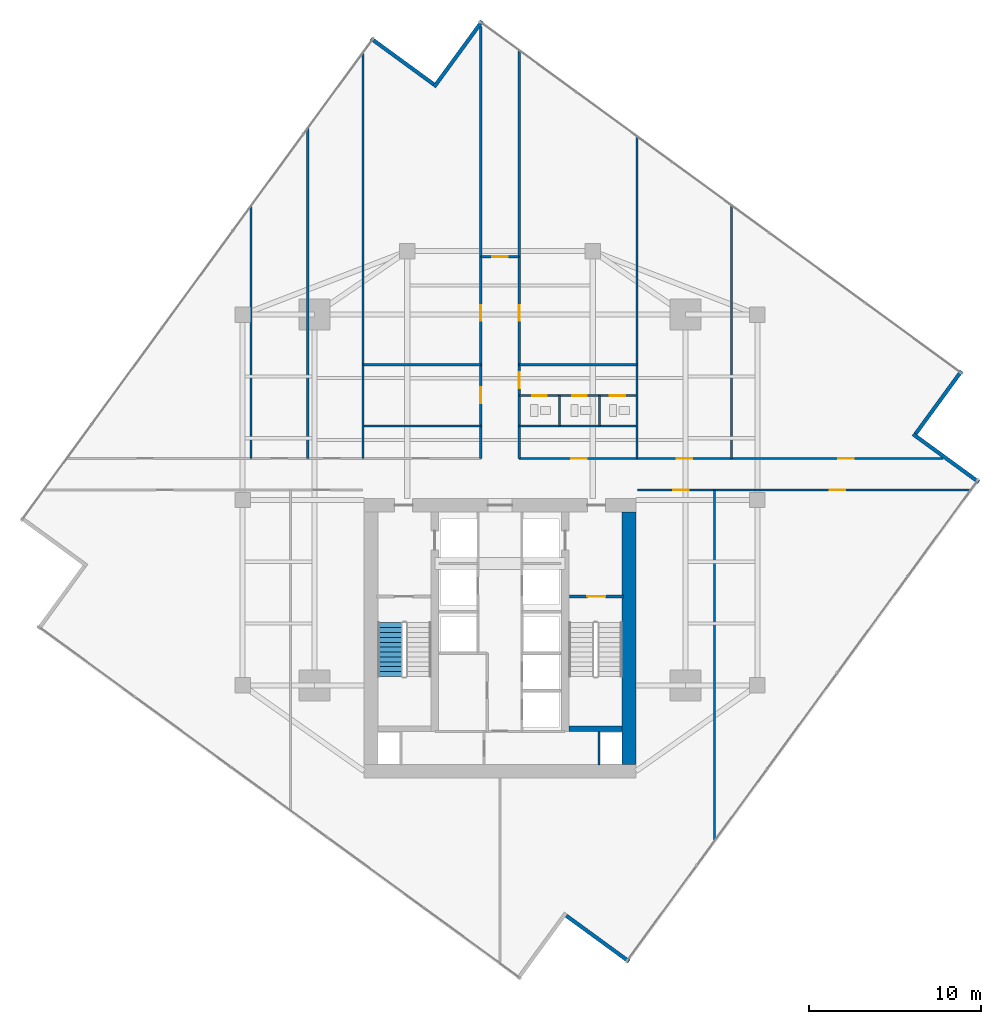
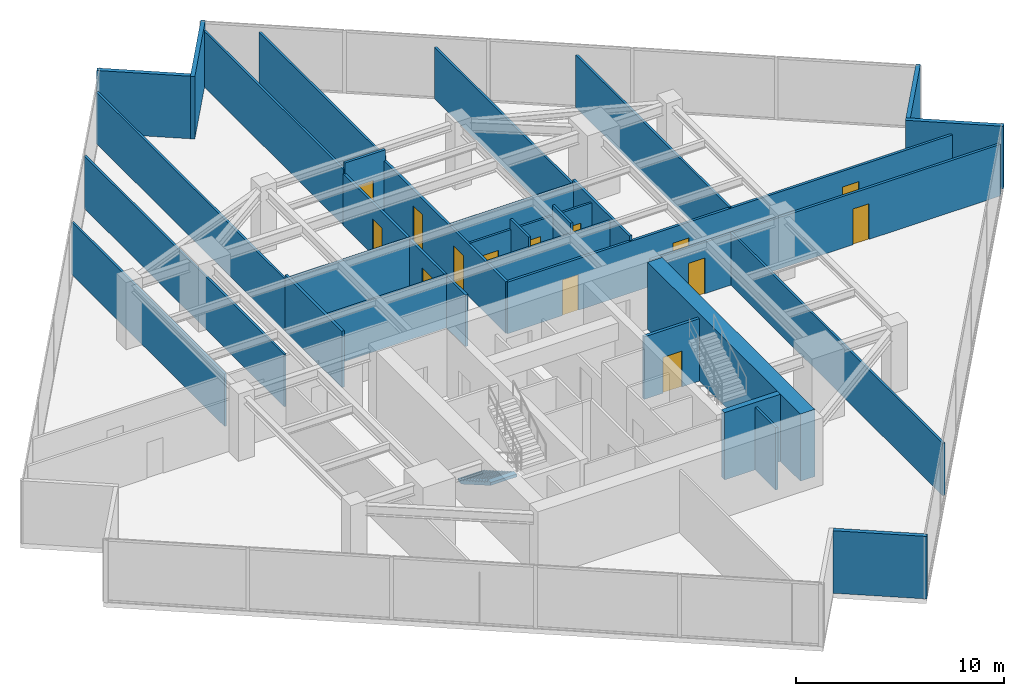
# One storey, part 22 of 25: 31 walls, 14 doors, 1 stair flight, 14 openings, 1 element without a shape of its own.
"""IFC4 building model written with IfcOpenShell, lengths in metres."""

from ifc_helpers import new_model, si_unit, direction, frame, frame_2d, origin, place, context, subcontext, project, spatial, polyline, rectangle, outline, extrude, material, layer, layer_set, type_object, element, fill, aggregate, save


model = new_model("IFC4")

# Units and contexts
model_context = context("Model", 3, precision=1e-05, world=origin(), true_north=direction((0.0, 1.0)))
body_context = subcontext(model_context, "Body", "Model", "MODEL_VIEW")
ifc_project = project(units=[si_unit("LENGTHUNIT", "METRE"), si_unit("AREAUNIT", "SQUARE_METRE"), si_unit("VOLUMEUNIT", "CUBIC_METRE"), si_unit("PLANEANGLEUNIT", "RADIAN"), si_unit("MASSUNIT", "GRAM", prefix="KILO")], contexts=[model_context])

# Site, building, storey
site_placement = place(None, origin())
site = spatial("IfcSite", under=ifc_project, at=site_placement, CompositionType="ELEMENT")
building_placement = place(site_placement, origin())
building = spatial("IfcBuilding", under=site, at=building_placement, Name="Krantzveldt Concourse Tower", CompositionType="ELEMENT")
storey_placement = place(building_placement, frame((0.0, 0.0, 193.60009765625)))
storey = spatial("IfcBuildingStorey", under=building, at=storey_placement, Name="L47", CompositionType="ELEMENT", Elevation=193.60009765625)

# Walls
ifc_material_1 = material(Name="Anodised aluminium 6063-T6", Category="aluminium")
ifc_layer_1 = layer(ifc_material_1, 0.219970703125, Name="Anodised aluminium 6063-T6", Category="aluminium")
ifc_layer_set_1 = layer_set([ifc_layer_1], Name="Anodised aluminium 6063-T6 (WL-EXT-NOTCH220)")
wall_type_1 = type_object("IfcWallType", Name="WL-EXT-NOTCH220", PredefinedType="ELEMENTEDWALL", material=ifc_layer_set_1)
for number, where, z_axis, x_axis, name in (
    (1, (32.138671875, 50.923828125, 0.0), (0.0, 0.0, 1.0), (-0.807734007732, 0.589547091209, 0.0), "EW-L47-NCH00"),
    (2, (39.861328125, 2.47607421875, 0.0), (0.0, 0.0, 1.0), (0.807734007732, -0.589547091209, 0.0), "EW-L47-NCH06"),
):
    element("IfcWall", number, at=place(storey_placement, frame(where, z_axis=z_axis, x_axis=x_axis)), inside=storey, type_object=wall_type_1, Name=name, PredefinedType="ELEMENTEDWALL", context=body_context, shape_type="SweptSolid", body=[
        extrude(rectangle(XDim=4.525146484375, YDim=0.219970703125, at=frame_2d((2.2626953125, 0.0))), origin(), (0.0, 0.0, 1.0), 3.669921875),
    ])
wall_1_placement = place(storey_placement, frame((63.90283203125, 27.73974609375, 0.0), z_axis=(0.0, 0.0, 1.0), x_axis=(-0.807718106916, 0.58956887618, 0.0)))
element("IfcWall", 3, at=wall_1_placement, inside=storey, type_object=wall_type_1, Name="EW-L47-NCH08", PredefinedType="ELEMENTEDWALL", context=body_context, shape_type="SweptSolid", body=[
    extrude(rectangle(XDim=4.7451171875, YDim=0.219970703125, at=frame_2d((2.37255859375, 0.0))), origin(), (0.0, 0.0, 1.0), 3.669921875),
])
wall_2_placement = place(storey_placement, frame((60.223876953125, 30.561279296875, 0.0), z_axis=(0.0, 0.0, 1.0), x_axis=(0.589547091209, 0.807734007732, 0.0)))
element("IfcWall", 4, at=wall_2_placement, inside=storey, type_object=wall_type_1, Name="EW-L47-NCH09", PredefinedType="ELEMENTEDWALL", context=body_context, shape_type="SweptSolid", body=[
    extrude(rectangle(XDim=4.525146484375, YDim=0.219970703125, at=frame_2d((2.2626953125, 0.0))), origin(), (0.0, 0.0, 1.0), 3.669921875),
])
wall_3_placement = place(storey_placement, frame((34.960205078125, 54.602783203125, 0.0), z_axis=(0.0, 0.0, 1.0), x_axis=(-0.589559809791, -0.807724724568, 0.0)))
element("IfcWall", 5, at=wall_3_placement, inside=storey, type_object=wall_type_1, Name="EW-L47-NCH11", PredefinedType="ELEMENTEDWALL", context=body_context, shape_type="SweptSolid", body=[
    extrude(rectangle(XDim=4.744873046875, YDim=0.219970703125, at=frame_2d((2.37255859375, 0.0))), origin(), (0.0, 0.0, 1.0), 3.669921875),
])
ifc_material_2 = material(Name="Fire-rated gypsum plasterboard on steel stud", Category="steel")
ifc_layer_2 = layer(ifc_material_2, 0.1201171875, Name="Fire-rated gypsum plasterboard on steel stud", Category="steel")
ifc_layer_set_2 = layer_set([ifc_layer_2], Name="Fire-rated gypsum plasterboard on steel stud (WL-PART-120)")
wall_type_2 = type_object("IfcWallType", Name="WL-PART-120", PredefinedType="PARTITIONING", material=ifc_layer_set_2)
for number, where, z_axis, x_axis, name in (
    (6, (28.02001953125, 31.02001953125, 0.0), (0.0, 0.0, 1.0), (1.0, 0.0, 0.0), "WP-L47-ISML"),
    (7, (37.1201171875, 31.02001953125, 0.0), (0.0, 0.0, 1.0), (1.0, 0.0, 0.0), "WP-L47-ISMR"),
):
    element("IfcWall", number, at=place(storey_placement, frame(where, z_axis=z_axis, x_axis=x_axis)), inside=storey, type_object=wall_type_2, Name=name, PredefinedType="PARTITIONING", context=body_context, shape_type="SweptSolid", body=[
        extrude(rectangle(XDim=6.85986328125, YDim=0.1201171875, at=frame_2d((3.429931640625, 0.0))), origin(), (0.0, 0.0, 1.0), 3.079833984375),
    ])

# Wall, openings, doors
wall_4_placement = place(storey_placement, frame((37.14990234375, 32.780029296875, 0.0), z_axis=(0.0, 0.0, 1.0), x_axis=(1.0, 0.0, 0.0)))
wall_4 = element("IfcWall", 8, at=wall_4_placement, inside=storey, type_object=wall_type_2, Name="WP-L47-WCHDR", PredefinedType="PARTITIONING", context=body_context, shape_type="SweptSolid", body=[
    extrude(rectangle(XDim=6.800048828125, YDim=0.1201171875, at=frame_2d((3.39990234375, 0.0))), origin(), (0.0, 0.0, 1.0), 3.079833984375),
])
opening_1_placement = place(wall_4_placement, frame((0.72509765625, 0.0, 0.0)))
opening_1 = element("IfcOpeningElement", 9, at=opening_1_placement, cuts=wall_4, Name="Opening D-IN085", PredefinedType="OPENING", context=body_context, shape_type="SweptSolid", body=[
    extrude(rectangle(XDim=0.85009765625, YDim=2.10009765625, at=frame_2d((0.425048828125, 1.050048828125))), frame((0.0, 0.070068359375, 0.0), z_axis=(0.0, -1.0, 0.0), x_axis=(1.0, 0.0, 0.0)), (0.0, 0.0, 1.0), 0.14013671875),
])
opening_2_placement = place(wall_4_placement, frame((3.06494140625, 0.0, 0.0)))
opening_2 = element("IfcOpeningElement", 10, at=opening_2_placement, cuts=wall_4, Name="Opening D-IN085", PredefinedType="OPENING", context=body_context, shape_type="SweptSolid", body=[
    extrude(rectangle(XDim=0.85009765625, YDim=2.10009765625, at=frame_2d((0.425048828125, 1.050048828125))), frame((0.0, 0.070068359375, 0.0), z_axis=(0.0, -1.0, 0.0), x_axis=(1.0, 0.0, 0.0)), (0.0, 0.0, 1.0), 0.14013671875),
])
opening_3_placement = place(wall_4_placement, frame((5.25, 0.0, 0.0)))
opening_3 = element("IfcOpeningElement", 11, at=opening_3_placement, cuts=wall_4, Name="Opening D-IN090", PredefinedType="OPENING", context=body_context, shape_type="SweptSolid", body=[
    extrude(rectangle(XDim=0.89990234375, YDim=2.10009765625, at=frame_2d((0.449951171875, 1.050048828125))), frame((0.0, 0.070068359375, 0.0), z_axis=(0.0, -1.0, 0.0), x_axis=(1.0, 0.0, 0.0)), (0.0, 0.0, 1.0), 0.14013671875),
])
ifc_material_3 = material(Name="Hardwood timber", Category="wood")
door_type_1 = type_object("IfcDoorType", Name="DR-INT-850", OperationType="SINGLE_SWING_LEFT", PredefinedType="DOOR", material=ifc_material_3)
door_1_placement = place(opening_1_placement, origin())
door_1 = element("IfcDoor", 12, at=door_1_placement, inside=storey, type_object=door_type_1, Name="DR-L47-WCM", OperationType="SINGLE_SWING_LEFT", OverallHeight=2.10009765625, OverallWidth=0.85009765625, PredefinedType="DOOR", context=body_context, shape_type="SweptSolid", body=[
    extrude(rectangle(XDim=0.85009765625, YDim=2.10009765625, at=frame_2d((0.425048828125, 1.050048828125))), frame((0.0, 0.02490234375, 0.0), z_axis=(0.0, -1.0, 0.0), x_axis=(1.0, 0.0, 0.0)), (0.0, 0.0, 1.0), 0.050048828125),
])
fill(opening_1, door_1)
door_2_placement = place(opening_2_placement, origin())
door_2 = element("IfcDoor", 13, at=door_2_placement, inside=storey, type_object=door_type_1, Name="DR-L47-WCF", OperationType="SINGLE_SWING_RIGHT", OverallHeight=2.10009765625, OverallWidth=0.85009765625, PredefinedType="DOOR", context=body_context, shape_type="SweptSolid", body=[
    extrude(rectangle(XDim=0.85009765625, YDim=2.10009765625, at=frame_2d((0.425048828125, 1.050048828125))), frame((0.0, 0.02490234375, 0.0), z_axis=(0.0, -1.0, 0.0), x_axis=(1.0, 0.0, 0.0)), (0.0, 0.0, 1.0), 0.050048828125),
])
fill(opening_2, door_2)
door_type_2 = type_object("IfcDoorType", Name="DR-INT-900", OperationType="SINGLE_SWING_LEFT", PredefinedType="DOOR", material=ifc_material_3)
door_3_placement = place(opening_3_placement, origin())
door_3 = element("IfcDoor", 14, at=door_3_placement, inside=storey, type_object=door_type_2, Name="DR-L47-WCA", OperationType="SINGLE_SWING_LEFT", OverallHeight=2.10009765625, OverallWidth=0.89990234375, PredefinedType="DOOR", context=body_context, shape_type="SweptSolid", body=[
    extrude(rectangle(XDim=0.89990234375, YDim=2.10009765625, at=frame_2d((0.449951171875, 1.050048828125))), frame((0.0, 0.02490234375, 0.0), z_axis=(0.0, -1.0, 0.0), x_axis=(1.0, 0.0, 0.0)), (0.0, 0.0, 1.0), 0.050048828125),
])
fill(opening_3, door_3)

# Walls
for number, where, z_axis, x_axis, name in (
    (15, (39.469970703125, 31.02001953125, 0.0), (0.0, 0.0, 1.0), (0.0, 1.0, 0.0), "WP-L47-WCD1"),
    (16, (41.81005859375, 31.02001953125, 0.0), (0.0, 0.0, 1.0), (0.0, 1.0, 0.0), "WP-L47-WCD2"),
):
    element("IfcWall", number, at=place(storey_placement, frame(where, z_axis=z_axis, x_axis=x_axis)), inside=storey, type_object=wall_type_2, Name=name, PredefinedType="PARTITIONING", context=body_context, shape_type="SweptSolid", body=[
        extrude(rectangle(XDim=1.760009765625, YDim=0.1201171875, at=frame_2d((0.8798828125, 0.0))), origin(), (0.0, 0.0, 1.0), 3.669921875),
    ])
wall_5_placement = place(storey_placement, frame((34.8798828125, 40.8798828125, 0.0), z_axis=(0.0, 0.0, 1.0), x_axis=(0.0, 1.0, 0.0)))
element("IfcWall", 17, at=wall_5_placement, inside=storey, type_object=wall_type_2, Name="WP-L47-NTL", PredefinedType="PARTITIONING", context=body_context, shape_type="SweptSolid", body=[
    extrude(rectangle(XDim=13.41796875, YDim=0.1201171875, at=frame_2d((6.708984375, 0.0))), origin(), (0.0, 0.0, 1.0), 3.27978515625),
])
wall_6_placement = place(storey_placement, frame((37.1201171875, 40.8798828125, 0.0), z_axis=(0.0, 0.0, 1.0), x_axis=(0.0, 1.0, 0.0)))
element("IfcWall", 18, at=wall_6_placement, inside=storey, type_object=wall_type_2, Name="WP-L47-NTR", PredefinedType="PARTITIONING", context=body_context, shape_type="SweptSolid", body=[
    extrude(rectangle(XDim=12.004150390625, YDim=0.1201171875, at=frame_2d((6.001953125, 0.0))), origin(), (0.0, 0.0, 1.0), 3.27978515625),
])
wall_7_placement = place(storey_placement, frame((21.5, 29.1201171875, 0.0), z_axis=(0.0, 0.0, 1.0), x_axis=(0.0, 1.0, 0.0)))
element("IfcWall", 19, at=wall_7_placement, inside=storey, type_object=wall_type_2, Name="WP-L47-NWX1", PredefinedType="PARTITIONING", context=body_context, shape_type="SweptSolid", body=[
    extrude(rectangle(XDim=14.7080078125, YDim=0.1201171875, at=frame_2d((7.35400390625, 0.0))), origin(), (0.0, 0.0, 1.0), 3.079833984375),
])
wall_8_placement = place(storey_placement, frame((24.800048828125, 29.1201171875, 0.0), z_axis=(0.0, 0.0, 1.0), x_axis=(0.0, 1.0, 0.0)))
element("IfcWall", 20, at=wall_8_placement, inside=storey, type_object=wall_type_2, Name="WP-L47-NWX2", PredefinedType="PARTITIONING", context=body_context, shape_type="SweptSolid", body=[
    extrude(rectangle(XDim=19.229248046875, YDim=0.1201171875, at=frame_2d((9.61474609375, 0.0))), origin(), (0.0, 0.0, 1.0), 3.079833984375),
])
wall_9_placement = place(storey_placement, frame((28.02001953125, 34.580078125, 0.0), z_axis=(0.0, 0.0, 1.0), x_axis=(0.0, 1.0, 0.0)))
element("IfcWall", 21, at=wall_9_placement, inside=storey, type_object=wall_type_2, Name="WP-L47-ISWL2", PredefinedType="PARTITIONING", context=body_context, shape_type="SweptSolid", body=[
    extrude(rectangle(XDim=18.180908203125, YDim=0.1201171875, at=frame_2d((9.09033203125, 0.0))), origin(), (0.0, 0.0, 1.0), 3.02978515625),
])
wall_10_placement = place(storey_placement, frame((43.97998046875, 34.580078125, 0.0), z_axis=(0.0, 0.0, 1.0), x_axis=(0.0, 1.0, 0.0)))
element("IfcWall", 22, at=wall_10_placement, inside=storey, type_object=wall_type_2, Name="WP-L47-ISER2", PredefinedType="PARTITIONING", context=body_context, shape_type="SweptSolid", body=[
    extrude(rectangle(XDim=13.297119140625, YDim=0.1201171875, at=frame_2d((6.6484375, 0.0))), origin(), (0.0, 0.0, 1.0), 3.02978515625),
])
wall_11_placement = place(storey_placement, frame((49.5, 29.1201171875, 0.0), z_axis=(0.0, 0.0, 1.0), x_axis=(0.0, 1.0, 0.0)))
element("IfcWall", 23, at=wall_11_placement, inside=storey, type_object=wall_type_2, Name="WP-L47-NEX1", PredefinedType="PARTITIONING", context=body_context, shape_type="SweptSolid", body=[
    extrude(rectangle(XDim=14.72802734375, YDim=0.1201171875, at=frame_2d((7.364013671875, 0.0))), origin(), (0.0, 0.0, 1.0), 3.079833984375),
])
wall_12_placement = place(storey_placement, frame((48.5, 6.831787109375, 0.0), z_axis=(0.0, 0.0, 1.0), x_axis=(0.0, 1.0, 0.0)))
element("IfcWall", 24, at=wall_12_placement, inside=storey, type_object=wall_type_2, Name="WP-L47-SEX1", PredefinedType="PARTITIONING", context=body_context, shape_type="SweptSolid", body=[
    extrude(rectangle(XDim=20.4482421875, YDim=0.1201171875, at=frame_2d((10.22412109375, 0.0))), origin(), (0.0, 0.0, 1.0), 3.079833984375),
])

# Wall, openings, doors
ifc_layer_3 = layer(ifc_material_2, 0.139892578125, Name="Fire-rated gypsum plasterboard on steel stud", Category="steel")
ifc_layer_set_3 = layer_set([ifc_layer_3], Name="Fire-rated gypsum plasterboard on steel stud (WL-PART-140)")
wall_type_3 = type_object("IfcWallType", Name="WL-PART-140", PredefinedType="PARTITIONING", material=ifc_layer_set_3)
wall_13_placement = place(storey_placement, frame((34.8798828125, 29.1201171875, 0.0), z_axis=(0.0, 0.0, 1.0), x_axis=(0.0, 1.0, 0.0)))
wall_13 = element("IfcWall", 25, at=wall_13_placement, inside=storey, type_object=wall_type_3, Name="WP-L47-SPWL", PredefinedType="PARTITIONING", context=body_context, shape_type="SweptSolid", body=[
    extrude(rectangle(XDim=11.759765625, YDim=0.139892578125, at=frame_2d((5.8798828125, 0.0))), origin(), (0.0, 0.0, 1.0), 3.02978515625),
])
opening_4_placement = place(wall_13_placement, frame((3.205078125, 0.0, 0.0)))
opening_4 = element("IfcOpeningElement", 26, at=opening_4_placement, cuts=wall_13, Name="Opening D-IN095", PredefinedType="OPENING", context=body_context, shape_type="SweptSolid", body=[
    extrude(rectangle(XDim=0.949951171875, YDim=2.10009765625, at=frame_2d((0.47509765625, 1.050048828125))), frame((0.0, 0.080078125, 0.0), z_axis=(0.0, -1.0, 0.0), x_axis=(1.0, 0.0, 0.0)), (0.0, 0.0, 1.0), 0.159912109375),
])
opening_5_placement = place(wall_13_placement, frame((8.02001953125, 0.0, 0.0)))
opening_5 = element("IfcOpeningElement", 27, at=opening_5_placement, cuts=wall_13, Name="Opening D-IN090", PredefinedType="OPENING", context=body_context, shape_type="SweptSolid", body=[
    extrude(rectangle(XDim=0.89990234375, YDim=2.10009765625, at=frame_2d((0.449951171875, 1.050048828125))), frame((0.0, 0.080078125, 0.0), z_axis=(0.0, -1.0, 0.0), x_axis=(1.0, 0.0, 0.0)), (0.0, 0.0, 1.0), 0.159912109375),
])
door_4_placement = place(opening_5_placement, origin())
door_4 = element("IfcDoor", 28, at=door_4_placement, inside=storey, type_object=door_type_2, Name="DR-L47-NWI1", OperationType="SINGLE_SWING_LEFT", OverallHeight=2.10009765625, OverallWidth=0.89990234375, PredefinedType="DOOR", context=body_context, shape_type="SweptSolid", body=[
    extrude(rectangle(XDim=0.89990234375, YDim=2.10009765625, at=frame_2d((0.449951171875, 1.050048828125))), frame((0.0, 0.02490234375, 0.0), z_axis=(0.0, -1.0, 0.0), x_axis=(1.0, 0.0, 0.0)), (0.0, 0.0, 1.0), 0.050048828125),
])
fill(opening_5, door_4)
door_type_3 = type_object("IfcDoorType", Name="DR-INT-950", OperationType="SINGLE_SWING_LEFT", PredefinedType="DOOR", material=ifc_material_3)
door_5_placement = place(opening_4_placement, origin())
door_5 = element("IfcDoor", 29, at=door_5_placement, inside=storey, type_object=door_type_3, Name="DR-L47-PNT", OperationType="SINGLE_SWING_RIGHT", OverallHeight=2.10009765625, OverallWidth=0.949951171875, PredefinedType="DOOR", context=body_context, shape_type="SweptSolid", body=[
    extrude(rectangle(XDim=0.949951171875, YDim=2.10009765625, at=frame_2d((0.47509765625, 1.050048828125))), frame((0.0, 0.02490234375, 0.0), z_axis=(0.0, -1.0, 0.0), x_axis=(1.0, 0.0, 0.0)), (0.0, 0.0, 1.0), 0.050048828125),
])
fill(opening_4, door_5)

wall_14_placement = place(storey_placement, frame((37.1201171875, 29.1201171875, 0.0), z_axis=(0.0, 0.0, 1.0), x_axis=(0.0, 1.0, 0.0)))
wall_14 = element("IfcWall", 30, at=wall_14_placement, inside=storey, type_object=wall_type_3, Name="WP-L47-SPER", PredefinedType="PARTITIONING", context=body_context, shape_type="SweptSolid", body=[
    extrude(rectangle(XDim=11.759765625, YDim=0.139892578125, at=frame_2d((5.8798828125, 0.0))), origin(), (0.0, 0.0, 1.0), 3.02978515625),
])
opening_6_placement = place(wall_14_placement, frame((4.0849609375, 0.0, 0.0)))
opening_6 = element("IfcOpeningElement", 31, at=opening_6_placement, cuts=wall_14, Name="Opening D-IN095", PredefinedType="OPENING", context=body_context, shape_type="SweptSolid", body=[
    extrude(rectangle(XDim=0.949951171875, YDim=2.10009765625, at=frame_2d((0.47509765625, 1.050048828125))), frame((0.0, 0.080078125, 0.0), z_axis=(0.0, -1.0, 0.0), x_axis=(1.0, 0.0, 0.0)), (0.0, 0.0, 1.0), 0.159912109375),
])
opening_7_placement = place(wall_14_placement, frame((8.02001953125, 0.0, 0.0)))
opening_7 = element("IfcOpeningElement", 32, at=opening_7_placement, cuts=wall_14, Name="Opening D-IN090", PredefinedType="OPENING", context=body_context, shape_type="SweptSolid", body=[
    extrude(rectangle(XDim=0.89990234375, YDim=2.10009765625, at=frame_2d((0.449951171875, 1.050048828125))), frame((0.0, 0.080078125, 0.0), z_axis=(0.0, -1.0, 0.0), x_axis=(1.0, 0.0, 0.0)), (0.0, 0.0, 1.0), 0.159912109375),
])
door_6_placement = place(opening_7_placement, origin())
door_6 = element("IfcDoor", 33, at=door_6_placement, inside=storey, type_object=door_type_2, Name="DR-L47-NEI1", OperationType="SINGLE_SWING_LEFT", OverallHeight=2.10009765625, OverallWidth=0.89990234375, PredefinedType="DOOR", context=body_context, shape_type="SweptSolid", body=[
    extrude(rectangle(XDim=0.89990234375, YDim=2.10009765625, at=frame_2d((0.449951171875, 1.050048828125))), frame((0.0, 0.02490234375, 0.0), z_axis=(0.0, -1.0, 0.0), x_axis=(1.0, 0.0, 0.0)), (0.0, 0.0, 1.0), 0.050048828125),
])
fill(opening_7, door_6)
door_7_placement = place(opening_6_placement, origin())
door_7 = element("IfcDoor", 34, at=door_7_placement, inside=storey, type_object=door_type_3, Name="DR-L47-WCLB", OperationType="SINGLE_SWING_LEFT", OverallHeight=2.10009765625, OverallWidth=0.949951171875, PredefinedType="DOOR", context=body_context, shape_type="SweptSolid", body=[
    extrude(rectangle(XDim=0.949951171875, YDim=2.10009765625, at=frame_2d((0.47509765625, 1.050048828125))), frame((0.0, 0.02490234375, 0.0), z_axis=(0.0, -1.0, 0.0), x_axis=(1.0, 0.0, 0.0)), (0.0, 0.0, 1.0), 0.050048828125),
])
fill(opening_6, door_7)

# Wall, opening, door
wall_15_placement = place(storey_placement, frame((34.8798828125, 40.8798828125, 0.0), z_axis=(0.0, 0.0, 1.0), x_axis=(1.0, 0.0, 0.0)))
wall_15 = element("IfcWall", 35, at=wall_15_placement, inside=storey, type_object=wall_type_3, Name="WP-L47-SPTOP", PredefinedType="PARTITIONING", context=body_context, shape_type="SweptSolid", body=[
    extrude(rectangle(XDim=2.240234375, YDim=0.139892578125, at=frame_2d((1.1201171875, 0.0))), origin(), (0.0, 0.0, 1.0), 3.669921875),
])
opening_8_placement = place(wall_15_placement, frame((0.669921875, 0.0, 0.0)))
opening_8 = element("IfcOpeningElement", 36, at=opening_8_placement, cuts=wall_15, Name="Opening D-IN090", PredefinedType="OPENING", context=body_context, shape_type="SweptSolid", body=[
    extrude(rectangle(XDim=0.89990234375, YDim=2.10009765625, at=frame_2d((0.449951171875, 1.050048828125))), frame((0.0, 0.080078125, 0.0), z_axis=(0.0, -1.0, 0.0), x_axis=(1.0, 0.0, 0.0)), (0.0, 0.0, 1.0), 0.159912109375),
])
door_8_placement = place(opening_8_placement, origin())
door_8 = element("IfcDoor", 37, at=door_8_placement, inside=storey, type_object=door_type_2, Name="DR-L47-NTOP", OperationType="SINGLE_SWING_LEFT", OverallHeight=2.10009765625, OverallWidth=0.89990234375, PredefinedType="DOOR", context=body_context, shape_type="SweptSolid", body=[
    extrude(rectangle(XDim=0.89990234375, YDim=2.10009765625, at=frame_2d((0.449951171875, 1.050048828125))), frame((0.0, 0.02490234375, 0.0), z_axis=(0.0, -1.0, 0.0), x_axis=(1.0, 0.0, 0.0)), (0.0, 0.0, 1.0), 0.050048828125),
])
fill(opening_8, door_8)

# Wall, openings, doors
wall_16_placement = place(storey_placement, frame((37.1201171875, 29.1201171875, 0.0), z_axis=(0.0, 0.0, 1.0), x_axis=(1.0, 0.0, 0.0)))
wall_16 = element("IfcWall", 38, at=wall_16_placement, inside=storey, type_object=wall_type_3, Name="WP-L47-EWNR", PredefinedType="PARTITIONING", context=body_context, shape_type="SweptSolid", body=[
    extrude(rectangle(XDim=24.69677734375, YDim=0.139892578125, at=frame_2d((12.348388671875, 0.0))), origin(), (0.0, 0.0, 1.0), 3.02978515625),
])
opening_9_placement = place(wall_16_placement, frame((3.030029296875, 0.0, 0.0)))
opening_9 = element("IfcOpeningElement", 39, at=opening_9_placement, cuts=wall_16, Name="Opening D-IN090", PredefinedType="OPENING", context=body_context, shape_type="SweptSolid", body=[
    extrude(rectangle(XDim=0.89990234375, YDim=2.10009765625, at=frame_2d((0.449951171875, 1.050048828125))), frame((0.0, 0.080078125, 0.0), z_axis=(0.0, -1.0, 0.0), x_axis=(1.0, 0.0, 0.0)), (0.0, 0.0, 1.0), 0.159912109375),
])
opening_10_placement = place(wall_16_placement, frame((9.169921875, 0.0, 0.0)))
opening_10 = element("IfcOpeningElement", 40, at=opening_10_placement, cuts=wall_16, Name="Opening D-IN090", PredefinedType="OPENING", context=body_context, shape_type="SweptSolid", body=[
    extrude(rectangle(XDim=0.89990234375, YDim=2.10009765625, at=frame_2d((0.449951171875, 1.050048828125))), frame((0.0, 0.080078125, 0.0), z_axis=(0.0, -1.0, 0.0), x_axis=(1.0, 0.0, 0.0)), (0.0, 0.0, 1.0), 0.159912109375),
])
opening_11_placement = place(wall_16_placement, frame((18.60009765625, 0.0, 0.0)))
opening_11 = element("IfcOpeningElement", 41, at=opening_11_placement, cuts=wall_16, Name="Opening D-IN090", PredefinedType="OPENING", context=body_context, shape_type="SweptSolid", body=[
    extrude(rectangle(XDim=0.89990234375, YDim=2.10009765625, at=frame_2d((0.449951171875, 1.050048828125))), frame((0.0, 0.080078125, 0.0), z_axis=(0.0, -1.0, 0.0), x_axis=(1.0, 0.0, 0.0)), (0.0, 0.0, 1.0), 0.159912109375),
])
door_9_placement = place(opening_9_placement, origin())
door_9 = element("IfcDoor", 42, at=door_9_placement, inside=storey, type_object=door_type_2, Name="DR-L47-ALCR", OperationType="SINGLE_SWING_RIGHT", OverallHeight=2.10009765625, OverallWidth=0.89990234375, PredefinedType="DOOR", context=body_context, shape_type="SweptSolid", body=[
    extrude(rectangle(XDim=0.89990234375, YDim=2.10009765625, at=frame_2d((0.449951171875, 1.050048828125))), frame((0.0, 0.02490234375, 0.0), z_axis=(0.0, -1.0, 0.0), x_axis=(1.0, 0.0, 0.0)), (0.0, 0.0, 1.0), 0.050048828125),
])
fill(opening_9, door_9)
door_10_placement = place(opening_10_placement, origin())
door_10 = element("IfcDoor", 43, at=door_10_placement, inside=storey, type_object=door_type_2, Name="DR-L47-NEX1", OperationType="SINGLE_SWING_RIGHT", OverallHeight=2.10009765625, OverallWidth=0.89990234375, PredefinedType="DOOR", context=body_context, shape_type="SweptSolid", body=[
    extrude(rectangle(XDim=0.89990234375, YDim=2.10009765625, at=frame_2d((0.449951171875, 1.050048828125))), frame((0.0, 0.02490234375, 0.0), z_axis=(0.0, -1.0, 0.0), x_axis=(1.0, 0.0, 0.0)), (0.0, 0.0, 1.0), 0.050048828125),
])
fill(opening_10, door_10)
door_11_placement = place(opening_11_placement, origin())
door_11 = element("IfcDoor", 44, at=door_11_placement, inside=storey, type_object=door_type_2, Name="DR-L47-NEX2", OperationType="SINGLE_SWING_RIGHT", OverallHeight=2.10009765625, OverallWidth=0.89990234375, PredefinedType="DOOR", context=body_context, shape_type="SweptSolid", body=[
    extrude(rectangle(XDim=0.89990234375, YDim=2.10009765625, at=frame_2d((0.449951171875, 1.050048828125))), frame((0.0, 0.02490234375, 0.0), z_axis=(0.0, -1.0, 0.0), x_axis=(1.0, 0.0, 0.0)), (0.0, 0.0, 1.0), 0.050048828125),
])
fill(opening_11, door_11)

wall_17_placement = place(storey_placement, frame((44.0, 27.280029296875, 0.0), z_axis=(0.0, 0.0, 1.0), x_axis=(1.0, 0.0, 0.0)))
wall_17 = element("IfcWall", 45, at=wall_17_placement, inside=storey, type_object=wall_type_3, Name="WP-L47-EWSR", PredefinedType="PARTITIONING", context=body_context, shape_type="SweptSolid", body=[
    extrude(rectangle(XDim=19.4248046875, YDim=0.139892578125, at=frame_2d((9.71240234375, 0.0))), origin(), (0.0, 0.0, 1.0), 3.02978515625),
])
opening_12_placement = place(wall_17_placement, frame((2.10009765625, 0.0, 0.0)))
opening_12 = element("IfcOpeningElement", 46, at=opening_12_placement, cuts=wall_17, Name="Opening D-IN090", PredefinedType="OPENING", context=body_context, shape_type="SweptSolid", body=[
    extrude(rectangle(XDim=0.89990234375, YDim=2.10009765625, at=frame_2d((0.449951171875, 1.050048828125))), frame((0.0, 0.080078125, 0.0), z_axis=(0.0, -1.0, 0.0), x_axis=(1.0, 0.0, 0.0)), (0.0, 0.0, 1.0), 0.159912109375),
])
opening_13_placement = place(wall_17_placement, frame((11.219970703125, 0.0, 0.0)))
opening_13 = element("IfcOpeningElement", 47, at=opening_13_placement, cuts=wall_17, Name="Opening D-IN090", PredefinedType="OPENING", context=body_context, shape_type="SweptSolid", body=[
    extrude(rectangle(XDim=0.89990234375, YDim=2.10009765625, at=frame_2d((0.449951171875, 1.050048828125))), frame((0.0, 0.080078125, 0.0), z_axis=(0.0, -1.0, 0.0), x_axis=(1.0, 0.0, 0.0)), (0.0, 0.0, 1.0), 0.159912109375),
])
door_12_placement = place(opening_12_placement, origin())
door_12 = element("IfcDoor", 48, at=door_12_placement, inside=storey, type_object=door_type_2, Name="DR-L47-SEX1", OperationType="SINGLE_SWING_RIGHT", OverallHeight=2.10009765625, OverallWidth=0.89990234375, PredefinedType="DOOR", context=body_context, shape_type="SweptSolid", body=[
    extrude(rectangle(XDim=0.89990234375, YDim=2.10009765625, at=frame_2d((0.449951171875, 1.050048828125))), frame((0.0, 0.02490234375, 0.0), z_axis=(0.0, -1.0, 0.0), x_axis=(1.0, 0.0, 0.0)), (0.0, 0.0, 1.0), 0.050048828125),
])
fill(opening_12, door_12)
door_13_placement = place(opening_13_placement, origin())
door_13 = element("IfcDoor", 49, at=door_13_placement, inside=storey, type_object=door_type_2, Name="DR-L47-SEX2", OperationType="SINGLE_SWING_RIGHT", OverallHeight=2.10009765625, OverallWidth=0.89990234375, PredefinedType="DOOR", context=body_context, shape_type="SweptSolid", body=[
    extrude(rectangle(XDim=0.89990234375, YDim=2.10009765625, at=frame_2d((0.449951171875, 1.050048828125))), frame((0.0, 0.02490234375, 0.0), z_axis=(0.0, -1.0, 0.0), x_axis=(1.0, 0.0, 0.0)), (0.0, 0.0, 1.0), 0.050048828125),
])
fill(opening_13, door_13)

# Walls
for number, where, z_axis, x_axis, name in (
    (50, (28.02001953125, 34.580078125, 0.0), (0.0, 0.0, 1.0), (1.0, 0.0, 0.0), "WP-L47-ISNL"),
    (51, (37.1201171875, 34.580078125, 0.0), (0.0, 0.0, 1.0), (1.0, 0.0, 0.0), "WP-L47-ISNR"),
):
    element("IfcWall", number, at=place(storey_placement, frame(where, z_axis=z_axis, x_axis=x_axis)), inside=storey, type_object=wall_type_3, Name=name, PredefinedType="PARTITIONING", context=body_context, shape_type="SweptSolid", body=[
        extrude(rectangle(XDim=6.85986328125, YDim=0.139892578125, at=frame_2d((3.429931640625, 0.0))), origin(), (0.0, 0.0, 1.0), 3.079833984375),
    ])
for number, where, z_axis, x_axis, name in (
    (52, (28.02001953125, 29.1201171875, 0.0), (0.0, 0.0, 1.0), (0.0, 1.0, 0.0), "WP-L47-ISWL"),
    (53, (43.97998046875, 29.1201171875, 0.0), (0.0, 0.0, 1.0), (0.0, 1.0, 0.0), "WP-L47-ISER"),
):
    element("IfcWall", number, at=place(storey_placement, frame(where, z_axis=z_axis, x_axis=x_axis)), inside=storey, type_object=wall_type_3, Name=name, PredefinedType="PARTITIONING", context=body_context, shape_type="SweptSolid", body=[
        extrude(rectangle(XDim=5.4599609375, YDim=0.139892578125, at=frame_2d((2.72998046875, 0.0))), origin(), (0.0, 0.0, 1.0), 3.309814453125),
    ])
ifc_layer_4 = layer(ifc_material_2, 0.139892578125, Name="Fire-rated gypsum plasterboard on steel stud", Category="steel")
ifc_layer_set_4 = layer_set([ifc_layer_4], Name="Fire-rated gypsum plasterboard on steel stud (WL-PART-FR140)")
wall_type_4 = type_object("IfcWallType", Name="WL-PART-FR140", PredefinedType="PARTITIONING", material=ifc_layer_set_4)
wall_18_placement = place(storey_placement, frame((41.780029296875, 11.25, 0.0), z_axis=(0.0, 0.0, 1.0), x_axis=(0.0, 1.0, 0.0)))
element("IfcWall", 54, at=wall_18_placement, inside=storey, type_object=wall_type_4, Name="WP-L47-RSE", PredefinedType="PARTITIONING", context=body_context, shape_type="SweptSolid", body=[
    extrude(rectangle(XDim=1.969970703125, YDim=0.1201171875, at=frame_2d((0.98486328125, 0.0))), origin(), (0.0, 0.0, 1.0), 3.669921875),
])

# Wall, opening, door
ifc_layer_5 = layer(ifc_material_2, 0.159912109375, Name="Fire-rated gypsum plasterboard on steel stud", Category="steel")
ifc_layer_set_5 = layer_set([ifc_layer_5], Name="Fire-rated gypsum plasterboard on steel stud (WL-PART-FR160)")
wall_type_5 = type_object("IfcWallType", Name="WL-PART-FR160", PredefinedType="PARTITIONING", material=ifc_layer_set_5)
wall_19_placement = place(storey_placement, frame((40.0400390625, 21.080078125, 0.0), z_axis=(0.0, 0.0, 1.0), x_axis=(1.0, 0.0, 0.0)))
wall_19 = element("IfcWall", 55, at=wall_19_placement, inside=storey, type_object=wall_type_5, Name="WP-L47-ST2", PredefinedType="PARTITIONING", context=body_context, shape_type="SweptSolid", body=[
    extrude(rectangle(XDim=3.159912109375, YDim=0.159912109375, at=frame_2d((1.580078125, 0.0))), origin(), (0.0, 0.0, 1.0), 3.669921875),
])
opening_14_placement = place(wall_19_placement, frame((1.054931640625, 0.0, 0.0)))
opening_14 = element("IfcOpeningElement", 56, at=opening_14_placement, cuts=wall_19, Name="Opening D-FD105", PredefinedType="OPENING", context=body_context, shape_type="SweptSolid", body=[
    extrude(rectangle(XDim=1.050048828125, YDim=2.10009765625, at=frame_2d((0.52490234375, 1.050048828125))), frame((0.0, 0.08984375, 0.0), z_axis=(0.0, -1.0, 0.0), x_axis=(1.0, 0.0, 0.0)), (0.0, 0.0, 1.0), 0.179931640625),
])
ifc_material_4 = material(Name="Galvanised steel", Category="steel")
door_type_4 = type_object("IfcDoorType", Name="DR-FD120-1050", OperationType="SINGLE_SWING_LEFT", PredefinedType="DOOR", material=ifc_material_4)
door_14_placement = place(opening_14_placement, origin())
door_14 = element("IfcDoor", 57, at=door_14_placement, inside=storey, type_object=door_type_4, Name="DR-L47-ST2", OperationType="SINGLE_SWING_LEFT", OverallHeight=2.10009765625, OverallWidth=1.050048828125, PredefinedType="DOOR", context=body_context, shape_type="SweptSolid", body=[
    extrude(rectangle(XDim=1.050048828125, YDim=2.10009765625, at=frame_2d((0.52490234375, 1.050048828125))), frame((0.0, 0.02490234375, 0.0), z_axis=(0.0, -1.0, 0.0), x_axis=(1.0, 0.0, 0.0)), (0.0, 0.0, 1.0), 0.050048828125),
])
fill(opening_14, door_14)

# Walls
ifc_material_5 = material(Name="Concrete C50/60", Category="concrete")
ifc_layer_6 = layer(ifc_material_5, 0.300048828125, Name="Concrete C50/60", Category="concrete")
ifc_layer_set_6 = layer_set([ifc_layer_6], Name="Concrete C50/60 (WL-SHEAR-300)")
wall_type_6 = type_object("IfcWallType", Name="WL-SHEAR-300", PredefinedType="SHEAR", material=ifc_layer_set_6)
wall_20_placement = place(storey_placement, frame((40.02001953125, 13.3701171875, 0.0), z_axis=(0.0, 0.0, 1.0), x_axis=(1.0, 0.0, 0.0)))
element("IfcWall", 58, at=wall_20_placement, inside=storey, type_object=wall_type_6, Name="CW-L47-ST2S", PredefinedType="SHEAR", context=body_context, shape_type="SweptSolid", body=[
    extrude(rectangle(XDim=3.10009765625, YDim=0.300048828125, at=frame_2d((1.550048828125, 0.0))), origin(), (0.0, 0.0, 1.0), 3.949951171875),
])
ifc_material_6 = material(Name="Concrete C60/75", Category="concrete")
ifc_layer_7 = layer(ifc_material_6, 0.800048828125, Name="Concrete C60/75", Category="concrete")
ifc_layer_set_7 = layer_set([ifc_layer_7], Name="Concrete C60/75 (WL-SHEAR-800)")
wall_type_7 = type_object("IfcWallType", Name="WL-SHEAR-800", PredefinedType="SHEAR", material=ifc_layer_set_7)
wall_21_placement = place(storey_placement, frame((43.52001953125, 11.300048828125, 0.0), z_axis=(0.0, 0.0, 1.0), x_axis=(0.0, 1.0, 0.0)))
element("IfcWall", 59, at=wall_21_placement, inside=storey, type_object=wall_type_7, Name="CW-L47-E", PredefinedType="SHEAR", context=body_context, shape_type="SweptSolid", body=[
    extrude(rectangle(XDim=14.699951171875, YDim=0.800048828125, at=frame_2d((7.35009765625, 0.0))), origin(), (0.0, 0.0, 1.0), 3.949951171875),
])

# Stair, stair flight
ifc_material_7 = material(Name="Precast concrete C40/50", Category="concrete")
stair_type = type_object("IfcStairType", Name="STR-CORE-DOGLEG", PredefinedType="HALF_TURN_STAIR", material=ifc_material_7)
stair_placement = place(storey_placement, origin())
stair = element("IfcStair", 60, at=stair_placement, inside=storey, type_object=stair_type, Name="L47 Protected Escape Stair ST-1", PredefinedType="HALF_TURN_STAIR")
stair_flight_type = type_object("IfcStairFlightType", Name="STF-CORE-1450", PredefinedType="STRAIGHT", material=ifc_material_7)
stair_flight_placement = place(storey_placement, frame((29.60498046875, 19.550048828125, 0.0), z_axis=(0.0, 0.0, 1.0), x_axis=(0.0, -1.0, 0.0)))
stair_flight = element("IfcStairFlight", 61, at=stair_flight_placement, type_object=stair_flight_type, Name="ST-1 flight 1", NumberOfRisers=12, NumberOfTreads=11, PredefinedType="STRAIGHT", RiserHeight=0.164583333, TreadLength=0.285, context=body_context, shape_type="SweptSolid", body=[
    extrude(outline(polyline([(0.0, 0.0), (0.0, 0.16455078125), (0.284912109375, 0.16455078125), (0.284912109375, 0.3291015625), (0.570068359375, 0.3291015625), (0.570068359375, 0.49365234375), (0.85498046875, 0.49365234375), (0.85498046875, 0.658447265625), (1.139892578125, 0.658447265625), (1.139892578125, 0.822998046875), (1.425048828125, 0.822998046875), (1.425048828125, 0.987548828125), (1.7099609375, 0.987548828125), (1.7099609375, 1.152099609375), (1.9951171875, 1.152099609375), (1.9951171875, 1.316650390625), (2.280029296875, 1.316650390625), (2.280029296875, 1.481201171875), (2.56494140625, 1.481201171875), (2.56494140625, 1.645751953125), (2.85009765625, 1.645751953125), (2.85009765625, 1.810302734375), (3.135009765625, 1.810302734375), (3.135009765625, 1.97509765625), (3.135009765625, 1.63720703125), (0.2998046875, 0.0), (0.0, 0.0)])), frame((0.0, 0.72509765625, 0.0), z_axis=(0.0, -1.0, 0.0), x_axis=(1.0, 0.0, 0.0)), (0.0, 0.0, 1.0), 1.449951171875),
])
aggregate(stair, [stair_flight])

save(model, "model.ifc")
